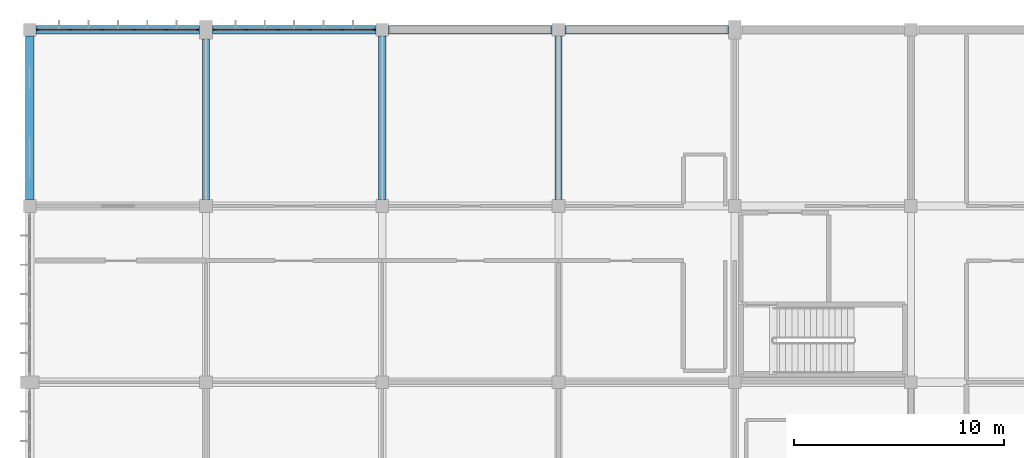
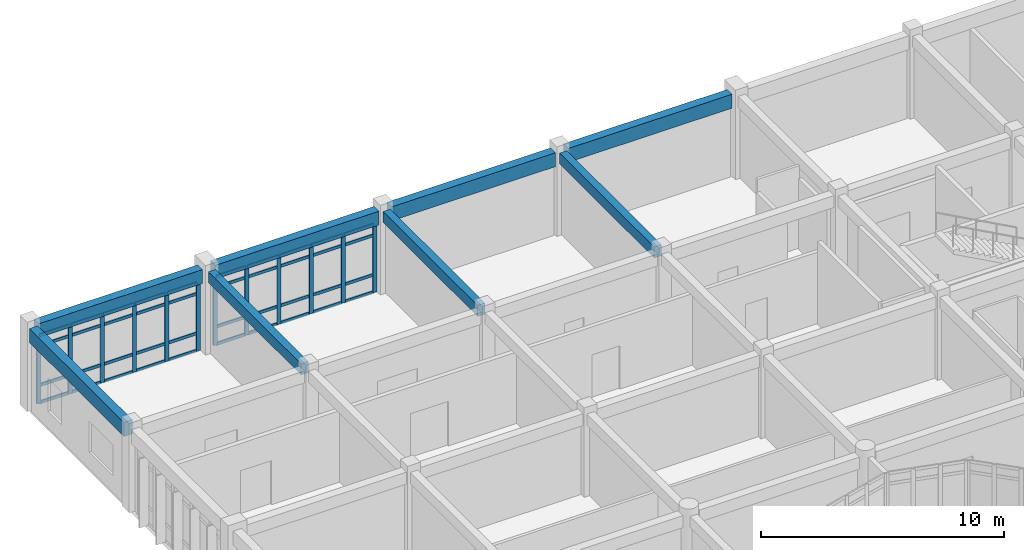
# One storey, part 42 of 144: 52 members, 8 beams, 2 elements without a shape of their own.
"""IFC4 building model written with IfcOpenShell, lengths in metres."""

from ifc_helpers import new_model, si_unit, direction, frame, origin, origin_2d, place, context, subcontext, project, spatial, rectangle, extrude, material, layer, layer_set, material_profile, profile_set, type_object, element, aggregate, save


model = new_model("IFC4")

# Units and contexts
model_context = context("Model", 3, precision=1e-05, world=origin(), true_north=direction((0.0, 1.0)))
body_context = subcontext(model_context, "Body", "Model", "MODEL_VIEW")
ifc_project = project(units=[si_unit("LENGTHUNIT", "METRE"), si_unit("AREAUNIT", "SQUARE_METRE"), si_unit("VOLUMEUNIT", "CUBIC_METRE"), si_unit("PLANEANGLEUNIT", "RADIAN"), si_unit("MASSUNIT", "GRAM", prefix="KILO")], contexts=[model_context])

# Site, building, storey
site_placement = place(None, origin())
site = spatial("IfcSite", under=ifc_project, at=site_placement, CompositionType="ELEMENT")
building_placement = place(site_placement, origin())
building = spatial("IfcBuilding", under=site, at=building_placement, Name="Bramfleet General Hospital", CompositionType="ELEMENT")
storey_placement = place(building_placement, frame((0.0, 0.0, 4.800048828125)))
storey = spatial("IfcBuildingStorey", under=building, at=storey_placement, Name="L01", CompositionType="ELEMENT", Elevation=4.800048828125)

# Beams
ifc_material_1 = material(Name="Concrete C35/45", Category="concrete")
ifc_material_profile_1 = material_profile(ifc_material_1, rectangle(XDim=0.35009765625, YDim=0.550048828125, at=origin_2d()), Name="RC BM 550x350")
ifc_profile_set_1 = profile_set([ifc_material_profile_1], Name="Concrete C35/45")
beam_type_1 = type_object("IfcBeamType", Name="BM-RC550", PredefinedType="BEAM", material=ifc_profile_set_1)
beam_1_placement = place(storey_placement, frame((8.39990234375, 109.5, 3.875), z_axis=(0.0, 1.0, 0.0), x_axis=(-1.0, 0.0, 0.0)))
element("IfcBeam", 1, at=beam_1_placement, inside=storey, type_object=beam_type_1, Name="L01 Grid Beam Y 01-13", PredefinedType="BEAM", context=body_context, shape_type="SweptSolid", body=[
    extrude(rectangle(XDim=0.35009765625, YDim=0.550048828125, at=origin_2d()), origin(), (0.0, 0.0, 1.0), 7.64990234375),
])
for number, where, z_axis, x_axis, name in (
    (2, (16.800048828125, 109.5, 3.875), (0.0, 1.0, 0.0), (-1.0, 0.0, 0.0), "L01 Grid Beam Y 02-13"),
    (3, (25.199951171875, 109.5, 3.875), (0.0, 1.0, 0.0), (-1.0, 0.0, 0.0), "L01 Grid Beam Y 03-13"),
):
    element("IfcBeam", number, at=place(storey_placement, frame(where, z_axis=z_axis, x_axis=x_axis)), inside=storey, type_object=beam_type_1, Name=name, PredefinedType="BEAM", context=body_context, shape_type="SweptSolid", body=[
        extrude(rectangle(XDim=0.35009765625, YDim=0.550048828125, at=origin_2d()), origin(), (0.0, 0.0, 1.0), 7.800048828125),
    ])
ifc_material_profile_2 = material_profile(ifc_material_1, rectangle(XDim=0.39990234375, YDim=0.699951171875, at=origin_2d()), Name="RC SP 700x400")
ifc_profile_set_2 = profile_set([ifc_material_profile_2], Name="Concrete C35/45")
beam_type_2 = type_object("IfcBeamType", Name="BM-SP700", PredefinedType="SPANDREL", material=ifc_profile_set_2)
for number, where, z_axis, x_axis, name in (
    (4, (0.300048828125, 117.60009765625, 3.800048828125), (1.0, 0.0, 0.0), (0.0, 1.0, 0.0), "L01 Grid Beam X 00-14"),
    (5, (8.699951171875, 117.60009765625, 3.800048828125), (1.0, 0.0, 0.0), (0.0, 1.0, 0.0), "L01 Grid Beam X 01-14"),
):
    element("IfcBeam", number, at=place(storey_placement, frame(where, z_axis=z_axis, x_axis=x_axis)), inside=storey, type_object=beam_type_2, Name=name, PredefinedType="SPANDREL", context=body_context, shape_type="SweptSolid", body=[
        extrude(rectangle(XDim=0.39990234375, YDim=0.699951171875, at=origin_2d()), origin(), (0.0, 0.0, 1.0), 7.800048828125),
    ])
beam_2_placement = place(storey_placement, frame((17.10009765625, 117.60009765625, 3.800048828125), z_axis=(1.0, 0.0, 0.0), x_axis=(0.0, 1.0, 0.0)))
element("IfcBeam", 6, at=beam_2_placement, inside=storey, type_object=beam_type_2, Name="L01 Grid Beam X 02-14", PredefinedType="SPANDREL", context=body_context, shape_type="SweptSolid", body=[
    extrude(rectangle(XDim=0.39990234375, YDim=0.699951171875, at=origin_2d()), origin(), (0.0, 0.0, 1.0), 7.7998046875),
])
for number, where, z_axis, x_axis, name in (
    (7, (25.5, 117.60009765625, 3.800048828125), (1.0, 0.0, 0.0), (0.0, 1.0, 0.0), "L01 Grid Beam X 03-14"),
    (8, (0.0, 109.5, 3.800048828125), (0.0, 1.0, 0.0), (-1.0, 0.0, 0.0), "L01 Grid Beam Y 00-13"),
):
    element("IfcBeam", number, at=place(storey_placement, frame(where, z_axis=z_axis, x_axis=x_axis)), inside=storey, type_object=beam_type_2, Name=name, PredefinedType="SPANDREL", context=body_context, shape_type="SweptSolid", body=[
        extrude(rectangle(XDim=0.39990234375, YDim=0.699951171875, at=origin_2d()), origin(), (0.0, 0.0, 1.0), 7.800048828125),
    ])

# Curtain wall, members
ifc_material_2 = material(Name="Anodised aluminium and low-E triple glazing", Category="aluminium")
ifc_layer_1 = layer(ifc_material_2, 0.179931640625, Name="CWT-CW-09")
ifc_layer_set_1 = layer_set([ifc_layer_1], Name="Anodised aluminium and low-E triple glazing")
curtain_wall_type_1 = type_object("IfcCurtainWallType", Name="CWT-CW-09", PredefinedType="USERDEFINED", material=ifc_layer_set_1)
curtain_wall_1_placement = place(storey_placement, origin())
curtain_wall_1 = element("IfcCurtainWall", 9, at=curtain_wall_1_placement, inside=storey, type_object=curtain_wall_type_1, Name="L01 Curtain Wall 45", ObjectType="Unitised curtain wall", PredefinedType="USERDEFINED")
ifc_material_3 = material(Name="Structural timber GL28h", Category="wood")
ifc_material_profile_3 = material_profile(ifc_material_3, rectangle(XDim=0.070068359375, YDim=0.18994140625, at=origin_2d()), Name="LARCH 190x70")
ifc_profile_set_3 = profile_set([ifc_material_profile_3], Name="Structural timber GL28h")
member_type_1 = type_object("IfcMemberType", Name="CWM-LARCH450", PredefinedType="MULLION", material=ifc_profile_set_3)
member_1_placement = place(storey_placement, frame((0.409912109375, 117.60009765625, 0.0), z_axis=(0.0, 0.0, 1.0), x_axis=(0.0, 1.0, 0.0)))
member_1 = element("IfcMember", 10, at=member_1_placement, type_object=member_type_1, Name="CW-09 mullion 1", PredefinedType="MULLION", context=body_context, shape_type="SweptSolid", body=[
    extrude(rectangle(XDim=0.070068359375, YDim=0.18994140625, at=origin_2d()), origin(), (0.0, 0.0, 1.0), 3.43994140625),
])
member_2_placement = place(storey_placement, frame((1.905029296875, 117.60009765625, 0.0), z_axis=(0.0, 0.0, 1.0), x_axis=(0.0, 1.0, 0.0)))
member_2 = element("IfcMember", 11, at=member_2_placement, type_object=member_type_1, Name="CW-09 mullion 2", PredefinedType="MULLION", context=body_context, shape_type="SweptSolid", body=[
    extrude(rectangle(XDim=0.070068359375, YDim=0.18994140625, at=origin_2d()), origin(), (0.0, 0.0, 1.0), 3.43994140625),
])
member_3_placement = place(storey_placement, frame((3.43505859375, 117.60009765625, 0.0), z_axis=(0.0, 0.0, 1.0), x_axis=(0.0, 1.0, 0.0)))
member_3 = element("IfcMember", 12, at=member_3_placement, type_object=member_type_1, Name="CW-09 mullion 3", PredefinedType="MULLION", context=body_context, shape_type="SweptSolid", body=[
    extrude(rectangle(XDim=0.070068359375, YDim=0.18994140625, at=origin_2d()), origin(), (0.0, 0.0, 1.0), 3.43994140625),
])
member_4_placement = place(storey_placement, frame((4.965087890625, 117.60009765625, 0.0), z_axis=(0.0, 0.0, 1.0), x_axis=(0.0, 1.0, 0.0)))
member_4 = element("IfcMember", 13, at=member_4_placement, type_object=member_type_1, Name="CW-09 mullion 4", PredefinedType="MULLION", context=body_context, shape_type="SweptSolid", body=[
    extrude(rectangle(XDim=0.070068359375, YDim=0.18994140625, at=origin_2d()), origin(), (0.0, 0.0, 1.0), 3.43994140625),
])
member_5_placement = place(storey_placement, frame((6.4951171875, 117.60009765625, 0.0), z_axis=(0.0, 0.0, 1.0), x_axis=(0.0, 1.0, 0.0)))
member_5 = element("IfcMember", 14, at=member_5_placement, type_object=member_type_1, Name="CW-09 mullion 5", PredefinedType="MULLION", context=body_context, shape_type="SweptSolid", body=[
    extrude(rectangle(XDim=0.070068359375, YDim=0.18994140625, at=origin_2d()), origin(), (0.0, 0.0, 1.0), 3.43994140625),
])
member_6_placement = place(storey_placement, frame((7.989990234375, 117.60009765625, 0.0), z_axis=(0.0, 0.0, 1.0), x_axis=(0.0, 1.0, 0.0)))
member_6 = element("IfcMember", 15, at=member_6_placement, type_object=member_type_1, Name="CW-09 mullion 6", PredefinedType="MULLION", context=body_context, shape_type="SweptSolid", body=[
    extrude(rectangle(XDim=0.070068359375, YDim=0.18994140625, at=origin_2d()), origin(), (0.0, 0.0, 1.0), 3.43994140625),
])

ifc_layer_2 = layer(ifc_material_2, 0.179931640625, Name="CWT-CW-10")
ifc_layer_set_2 = layer_set([ifc_layer_2], Name="Anodised aluminium and low-E triple glazing")
curtain_wall_type_2 = type_object("IfcCurtainWallType", Name="CWT-CW-10", PredefinedType="USERDEFINED", material=ifc_layer_set_2)
curtain_wall_2_placement = place(storey_placement, origin())
curtain_wall_2 = element("IfcCurtainWall", 16, at=curtain_wall_2_placement, inside=storey, type_object=curtain_wall_type_2, Name="L01 Curtain Wall 46", ObjectType="Stick curtain wall", PredefinedType="USERDEFINED")
member_7_placement = place(storey_placement, frame((8.81005859375, 117.60009765625, 0.0), z_axis=(0.0, 0.0, 1.0), x_axis=(0.0, 1.0, 0.0)))
member_7 = element("IfcMember", 17, at=member_7_placement, type_object=member_type_1, Name="CW-10 mullion 1", PredefinedType="MULLION", context=body_context, shape_type="SweptSolid", body=[
    extrude(rectangle(XDim=0.070068359375, YDim=0.18994140625, at=origin_2d()), origin(), (0.0, 0.0, 1.0), 3.43994140625),
])
member_8_placement = place(storey_placement, frame((10.304931640625, 117.60009765625, 0.0), z_axis=(0.0, 0.0, 1.0), x_axis=(0.0, 1.0, 0.0)))
member_8 = element("IfcMember", 18, at=member_8_placement, type_object=member_type_1, Name="CW-10 mullion 2", PredefinedType="MULLION", context=body_context, shape_type="SweptSolid", body=[
    extrude(rectangle(XDim=0.070068359375, YDim=0.18994140625, at=origin_2d()), origin(), (0.0, 0.0, 1.0), 3.43994140625),
])
member_9_placement = place(storey_placement, frame((11.8349609375, 117.60009765625, 0.0), z_axis=(0.0, 0.0, 1.0), x_axis=(0.0, 1.0, 0.0)))
member_9 = element("IfcMember", 19, at=member_9_placement, type_object=member_type_1, Name="CW-10 mullion 3", PredefinedType="MULLION", context=body_context, shape_type="SweptSolid", body=[
    extrude(rectangle(XDim=0.070068359375, YDim=0.18994140625, at=origin_2d()), origin(), (0.0, 0.0, 1.0), 3.43994140625),
])
member_10_placement = place(storey_placement, frame((13.364990234375, 117.60009765625, 0.0), z_axis=(0.0, 0.0, 1.0), x_axis=(0.0, 1.0, 0.0)))
member_10 = element("IfcMember", 20, at=member_10_placement, type_object=member_type_1, Name="CW-10 mullion 4", PredefinedType="MULLION", context=body_context, shape_type="SweptSolid", body=[
    extrude(rectangle(XDim=0.070068359375, YDim=0.18994140625, at=origin_2d()), origin(), (0.0, 0.0, 1.0), 3.43994140625),
])
member_11_placement = place(storey_placement, frame((14.89501953125, 117.60009765625, 0.0), z_axis=(0.0, 0.0, 1.0), x_axis=(0.0, 1.0, 0.0)))
member_11 = element("IfcMember", 21, at=member_11_placement, type_object=member_type_1, Name="CW-10 mullion 5", PredefinedType="MULLION", context=body_context, shape_type="SweptSolid", body=[
    extrude(rectangle(XDim=0.070068359375, YDim=0.18994140625, at=origin_2d()), origin(), (0.0, 0.0, 1.0), 3.43994140625),
])
member_12_placement = place(storey_placement, frame((16.389892578125, 117.60009765625, 0.0), z_axis=(0.0, 0.0, 1.0), x_axis=(0.0, 1.0, 0.0)))
member_12 = element("IfcMember", 22, at=member_12_placement, type_object=member_type_1, Name="CW-10 mullion 6", PredefinedType="MULLION", context=body_context, shape_type="SweptSolid", body=[
    extrude(rectangle(XDim=0.070068359375, YDim=0.18994140625, at=origin_2d()), origin(), (0.0, 0.0, 1.0), 3.43994140625),
])

# Member
ifc_material_profile_4 = material_profile(ifc_material_3, rectangle(XDim=0.06494140625, YDim=0.14990234375, at=origin_2d()), Name="LARCH 150x65")
ifc_profile_set_4 = profile_set([ifc_material_profile_4], Name="Structural timber GL28h")
member_type_2 = type_object("IfcMemberType", Name="CWT-LARCH220", PredefinedType="USERDEFINED", material=ifc_profile_set_4)
member_13_placement = place(storey_placement, frame((0.445068359375, 117.60009765625, 0.032470703125), z_axis=(1.0, 0.0, 0.0), x_axis=(0.0, 1.0, 0.0)))
member_13 = element("IfcMember", 23, at=member_13_placement, type_object=member_type_2, Name="CW-09 transom 1.1", ObjectType="TRANSOM", PredefinedType="USERDEFINED", context=body_context, shape_type="SweptSolid", body=[
    extrude(rectangle(XDim=0.06494140625, YDim=0.14990234375, at=origin_2d()), origin(), (0.0, 0.0, 1.0), 1.425048828125),
])

member_14_placement = place(storey_placement, frame((0.445068359375, 117.60009765625, 0.89990234375), z_axis=(1.0, 0.0, 0.0), x_axis=(0.0, 1.0, 0.0)))
member_14 = element("IfcMember", 24, at=member_14_placement, type_object=member_type_2, Name="CW-09 transom 1.2", ObjectType="TRANSOM", PredefinedType="USERDEFINED", context=body_context, shape_type="SweptSolid", body=[
    extrude(rectangle(XDim=0.06494140625, YDim=0.14990234375, at=origin_2d()), origin(), (0.0, 0.0, 1.0), 1.425048828125),
])

member_15_placement = place(storey_placement, frame((0.445068359375, 117.60009765625, 2.889892578125), z_axis=(1.0, 0.0, 0.0), x_axis=(0.0, 1.0, 0.0)))
member_15 = element("IfcMember", 25, at=member_15_placement, type_object=member_type_2, Name="CW-09 transom 1.3", ObjectType="TRANSOM", PredefinedType="USERDEFINED", context=body_context, shape_type="SweptSolid", body=[
    extrude(rectangle(XDim=0.06494140625, YDim=0.14990234375, at=origin_2d()), origin(), (0.0, 0.0, 1.0), 1.425048828125),
])

member_16_placement = place(storey_placement, frame((0.445068359375, 117.60009765625, 3.407470703125), z_axis=(1.0, 0.0, 0.0), x_axis=(0.0, 1.0, 0.0)))
member_16 = element("IfcMember", 26, at=member_16_placement, type_object=member_type_2, Name="CW-09 transom 1.4", ObjectType="TRANSOM", PredefinedType="USERDEFINED", context=body_context, shape_type="SweptSolid", body=[
    extrude(rectangle(XDim=0.06494140625, YDim=0.14990234375, at=origin_2d()), origin(), (0.0, 0.0, 1.0), 1.425048828125),
])

member_17_placement = place(storey_placement, frame((1.93994140625, 117.60009765625, 0.032470703125), z_axis=(1.0, 0.0, 0.0), x_axis=(0.0, 1.0, 0.0)))
member_17 = element("IfcMember", 27, at=member_17_placement, type_object=member_type_2, Name="CW-09 transom 2.1", ObjectType="TRANSOM", PredefinedType="USERDEFINED", context=body_context, shape_type="SweptSolid", body=[
    extrude(rectangle(XDim=0.06494140625, YDim=0.14990234375, at=origin_2d()), origin(), (0.0, 0.0, 1.0), 1.4599609375),
])

member_18_placement = place(storey_placement, frame((1.93994140625, 117.60009765625, 0.89990234375), z_axis=(1.0, 0.0, 0.0), x_axis=(0.0, 1.0, 0.0)))
member_18 = element("IfcMember", 28, at=member_18_placement, type_object=member_type_2, Name="CW-09 transom 2.2", ObjectType="TRANSOM", PredefinedType="USERDEFINED", context=body_context, shape_type="SweptSolid", body=[
    extrude(rectangle(XDim=0.06494140625, YDim=0.14990234375, at=origin_2d()), origin(), (0.0, 0.0, 1.0), 1.4599609375),
])

member_19_placement = place(storey_placement, frame((1.93994140625, 117.60009765625, 2.889892578125), z_axis=(1.0, 0.0, 0.0), x_axis=(0.0, 1.0, 0.0)))
member_19 = element("IfcMember", 29, at=member_19_placement, type_object=member_type_2, Name="CW-09 transom 2.3", ObjectType="TRANSOM", PredefinedType="USERDEFINED", context=body_context, shape_type="SweptSolid", body=[
    extrude(rectangle(XDim=0.06494140625, YDim=0.14990234375, at=origin_2d()), origin(), (0.0, 0.0, 1.0), 1.4599609375),
])

member_20_placement = place(storey_placement, frame((1.93994140625, 117.60009765625, 3.407470703125), z_axis=(1.0, 0.0, 0.0), x_axis=(0.0, 1.0, 0.0)))
member_20 = element("IfcMember", 30, at=member_20_placement, type_object=member_type_2, Name="CW-09 transom 2.4", ObjectType="TRANSOM", PredefinedType="USERDEFINED", context=body_context, shape_type="SweptSolid", body=[
    extrude(rectangle(XDim=0.06494140625, YDim=0.14990234375, at=origin_2d()), origin(), (0.0, 0.0, 1.0), 1.4599609375),
])

member_21_placement = place(storey_placement, frame((3.469970703125, 117.60009765625, 0.032470703125), z_axis=(1.0, 0.0, 0.0), x_axis=(0.0, 1.0, 0.0)))
member_21 = element("IfcMember", 31, at=member_21_placement, type_object=member_type_2, Name="CW-09 transom 3.1", ObjectType="TRANSOM", PredefinedType="USERDEFINED", context=body_context, shape_type="SweptSolid", body=[
    extrude(rectangle(XDim=0.06494140625, YDim=0.14990234375, at=origin_2d()), origin(), (0.0, 0.0, 1.0), 1.4599609375),
])

member_22_placement = place(storey_placement, frame((3.469970703125, 117.60009765625, 0.89990234375), z_axis=(1.0, 0.0, 0.0), x_axis=(0.0, 1.0, 0.0)))
member_22 = element("IfcMember", 32, at=member_22_placement, type_object=member_type_2, Name="CW-09 transom 3.2", ObjectType="TRANSOM", PredefinedType="USERDEFINED", context=body_context, shape_type="SweptSolid", body=[
    extrude(rectangle(XDim=0.06494140625, YDim=0.14990234375, at=origin_2d()), origin(), (0.0, 0.0, 1.0), 1.4599609375),
])

member_23_placement = place(storey_placement, frame((3.469970703125, 117.60009765625, 2.889892578125), z_axis=(1.0, 0.0, 0.0), x_axis=(0.0, 1.0, 0.0)))
member_23 = element("IfcMember", 33, at=member_23_placement, type_object=member_type_2, Name="CW-09 transom 3.3", ObjectType="TRANSOM", PredefinedType="USERDEFINED", context=body_context, shape_type="SweptSolid", body=[
    extrude(rectangle(XDim=0.06494140625, YDim=0.14990234375, at=origin_2d()), origin(), (0.0, 0.0, 1.0), 1.4599609375),
])

member_24_placement = place(storey_placement, frame((3.469970703125, 117.60009765625, 3.407470703125), z_axis=(1.0, 0.0, 0.0), x_axis=(0.0, 1.0, 0.0)))
member_24 = element("IfcMember", 34, at=member_24_placement, type_object=member_type_2, Name="CW-09 transom 3.4", ObjectType="TRANSOM", PredefinedType="USERDEFINED", context=body_context, shape_type="SweptSolid", body=[
    extrude(rectangle(XDim=0.06494140625, YDim=0.14990234375, at=origin_2d()), origin(), (0.0, 0.0, 1.0), 1.4599609375),
])

member_25_placement = place(storey_placement, frame((5.0, 117.60009765625, 0.032470703125), z_axis=(1.0, 0.0, 0.0), x_axis=(0.0, 1.0, 0.0)))
member_25 = element("IfcMember", 35, at=member_25_placement, type_object=member_type_2, Name="CW-09 transom 4.1", ObjectType="TRANSOM", PredefinedType="USERDEFINED", context=body_context, shape_type="SweptSolid", body=[
    extrude(rectangle(XDim=0.06494140625, YDim=0.14990234375, at=origin_2d()), origin(), (0.0, 0.0, 1.0), 1.4599609375),
])

member_26_placement = place(storey_placement, frame((5.0, 117.60009765625, 0.89990234375), z_axis=(1.0, 0.0, 0.0), x_axis=(0.0, 1.0, 0.0)))
member_26 = element("IfcMember", 36, at=member_26_placement, type_object=member_type_2, Name="CW-09 transom 4.2", ObjectType="TRANSOM", PredefinedType="USERDEFINED", context=body_context, shape_type="SweptSolid", body=[
    extrude(rectangle(XDim=0.06494140625, YDim=0.14990234375, at=origin_2d()), origin(), (0.0, 0.0, 1.0), 1.4599609375),
])

member_27_placement = place(storey_placement, frame((5.0, 117.60009765625, 2.889892578125), z_axis=(1.0, 0.0, 0.0), x_axis=(0.0, 1.0, 0.0)))
member_27 = element("IfcMember", 37, at=member_27_placement, type_object=member_type_2, Name="CW-09 transom 4.3", ObjectType="TRANSOM", PredefinedType="USERDEFINED", context=body_context, shape_type="SweptSolid", body=[
    extrude(rectangle(XDim=0.06494140625, YDim=0.14990234375, at=origin_2d()), origin(), (0.0, 0.0, 1.0), 1.4599609375),
])

member_28_placement = place(storey_placement, frame((5.0, 117.60009765625, 3.407470703125), z_axis=(1.0, 0.0, 0.0), x_axis=(0.0, 1.0, 0.0)))
member_28 = element("IfcMember", 38, at=member_28_placement, type_object=member_type_2, Name="CW-09 transom 4.4", ObjectType="TRANSOM", PredefinedType="USERDEFINED", context=body_context, shape_type="SweptSolid", body=[
    extrude(rectangle(XDim=0.06494140625, YDim=0.14990234375, at=origin_2d()), origin(), (0.0, 0.0, 1.0), 1.4599609375),
])

member_29_placement = place(storey_placement, frame((6.530029296875, 117.60009765625, 0.032470703125), z_axis=(1.0, 0.0, 0.0), x_axis=(0.0, 1.0, 0.0)))
member_29 = element("IfcMember", 39, at=member_29_placement, type_object=member_type_2, Name="CW-09 transom 5.1", ObjectType="TRANSOM", PredefinedType="USERDEFINED", context=body_context, shape_type="SweptSolid", body=[
    extrude(rectangle(XDim=0.06494140625, YDim=0.14990234375, at=origin_2d()), origin(), (0.0, 0.0, 1.0), 1.425048828125),
])

member_30_placement = place(storey_placement, frame((6.530029296875, 117.60009765625, 0.89990234375), z_axis=(1.0, 0.0, 0.0), x_axis=(0.0, 1.0, 0.0)))
member_30 = element("IfcMember", 40, at=member_30_placement, type_object=member_type_2, Name="CW-09 transom 5.2", ObjectType="TRANSOM", PredefinedType="USERDEFINED", context=body_context, shape_type="SweptSolid", body=[
    extrude(rectangle(XDim=0.06494140625, YDim=0.14990234375, at=origin_2d()), origin(), (0.0, 0.0, 1.0), 1.425048828125),
])

member_31_placement = place(storey_placement, frame((6.530029296875, 117.60009765625, 2.889892578125), z_axis=(1.0, 0.0, 0.0), x_axis=(0.0, 1.0, 0.0)))
member_31 = element("IfcMember", 41, at=member_31_placement, type_object=member_type_2, Name="CW-09 transom 5.3", ObjectType="TRANSOM", PredefinedType="USERDEFINED", context=body_context, shape_type="SweptSolid", body=[
    extrude(rectangle(XDim=0.06494140625, YDim=0.14990234375, at=origin_2d()), origin(), (0.0, 0.0, 1.0), 1.425048828125),
])

member_32_placement = place(storey_placement, frame((6.530029296875, 117.60009765625, 3.407470703125), z_axis=(1.0, 0.0, 0.0), x_axis=(0.0, 1.0, 0.0)))
member_32 = element("IfcMember", 42, at=member_32_placement, type_object=member_type_2, Name="CW-09 transom 5.4", ObjectType="TRANSOM", PredefinedType="USERDEFINED", context=body_context, shape_type="SweptSolid", body=[
    extrude(rectangle(XDim=0.06494140625, YDim=0.14990234375, at=origin_2d()), origin(), (0.0, 0.0, 1.0), 1.425048828125),
])

aggregate(curtain_wall_1, [member_1, member_2, member_3, member_4, member_5, member_6, member_13, member_14, member_15, member_16, member_17, member_18, member_19, member_20, member_21, member_22, member_23, member_24, member_25, member_26, member_27, member_28, member_29, member_30, member_31, member_32])

member_33_placement = place(storey_placement, frame((8.844970703125, 117.60009765625, 0.032470703125), z_axis=(1.0, 0.0, 0.0), x_axis=(0.0, 1.0, 0.0)))
member_33 = element("IfcMember", 43, at=member_33_placement, type_object=member_type_2, Name="CW-10 transom 1.1", ObjectType="TRANSOM", PredefinedType="USERDEFINED", context=body_context, shape_type="SweptSolid", body=[
    extrude(rectangle(XDim=0.06494140625, YDim=0.14990234375, at=origin_2d()), origin(), (0.0, 0.0, 1.0), 1.425048828125),
])

member_34_placement = place(storey_placement, frame((8.844970703125, 117.60009765625, 0.89990234375), z_axis=(1.0, 0.0, 0.0), x_axis=(0.0, 1.0, 0.0)))
member_34 = element("IfcMember", 44, at=member_34_placement, type_object=member_type_2, Name="CW-10 transom 1.2", ObjectType="TRANSOM", PredefinedType="USERDEFINED", context=body_context, shape_type="SweptSolid", body=[
    extrude(rectangle(XDim=0.06494140625, YDim=0.14990234375, at=origin_2d()), origin(), (0.0, 0.0, 1.0), 1.425048828125),
])

member_35_placement = place(storey_placement, frame((8.844970703125, 117.60009765625, 2.889892578125), z_axis=(1.0, 0.0, 0.0), x_axis=(0.0, 1.0, 0.0)))
member_35 = element("IfcMember", 45, at=member_35_placement, type_object=member_type_2, Name="CW-10 transom 1.3", ObjectType="TRANSOM", PredefinedType="USERDEFINED", context=body_context, shape_type="SweptSolid", body=[
    extrude(rectangle(XDim=0.06494140625, YDim=0.14990234375, at=origin_2d()), origin(), (0.0, 0.0, 1.0), 1.425048828125),
])

member_36_placement = place(storey_placement, frame((8.844970703125, 117.60009765625, 3.407470703125), z_axis=(1.0, 0.0, 0.0), x_axis=(0.0, 1.0, 0.0)))
member_36 = element("IfcMember", 46, at=member_36_placement, type_object=member_type_2, Name="CW-10 transom 1.4", ObjectType="TRANSOM", PredefinedType="USERDEFINED", context=body_context, shape_type="SweptSolid", body=[
    extrude(rectangle(XDim=0.06494140625, YDim=0.14990234375, at=origin_2d()), origin(), (0.0, 0.0, 1.0), 1.425048828125),
])

member_37_placement = place(storey_placement, frame((10.340087890625, 117.60009765625, 0.032470703125), z_axis=(1.0, 0.0, 0.0), x_axis=(0.0, 1.0, 0.0)))
member_37 = element("IfcMember", 47, at=member_37_placement, type_object=member_type_2, Name="CW-10 transom 2.1", ObjectType="TRANSOM", PredefinedType="USERDEFINED", context=body_context, shape_type="SweptSolid", body=[
    extrude(rectangle(XDim=0.06494140625, YDim=0.14990234375, at=origin_2d()), origin(), (0.0, 0.0, 1.0), 1.4599609375),
])

member_38_placement = place(storey_placement, frame((10.340087890625, 117.60009765625, 0.89990234375), z_axis=(1.0, 0.0, 0.0), x_axis=(0.0, 1.0, 0.0)))
member_38 = element("IfcMember", 48, at=member_38_placement, type_object=member_type_2, Name="CW-10 transom 2.2", ObjectType="TRANSOM", PredefinedType="USERDEFINED", context=body_context, shape_type="SweptSolid", body=[
    extrude(rectangle(XDim=0.06494140625, YDim=0.14990234375, at=origin_2d()), origin(), (0.0, 0.0, 1.0), 1.4599609375),
])

member_39_placement = place(storey_placement, frame((10.340087890625, 117.60009765625, 2.889892578125), z_axis=(1.0, 0.0, 0.0), x_axis=(0.0, 1.0, 0.0)))
member_39 = element("IfcMember", 49, at=member_39_placement, type_object=member_type_2, Name="CW-10 transom 2.3", ObjectType="TRANSOM", PredefinedType="USERDEFINED", context=body_context, shape_type="SweptSolid", body=[
    extrude(rectangle(XDim=0.06494140625, YDim=0.14990234375, at=origin_2d()), origin(), (0.0, 0.0, 1.0), 1.4599609375),
])

member_40_placement = place(storey_placement, frame((10.340087890625, 117.60009765625, 3.407470703125), z_axis=(1.0, 0.0, 0.0), x_axis=(0.0, 1.0, 0.0)))
member_40 = element("IfcMember", 50, at=member_40_placement, type_object=member_type_2, Name="CW-10 transom 2.4", ObjectType="TRANSOM", PredefinedType="USERDEFINED", context=body_context, shape_type="SweptSolid", body=[
    extrude(rectangle(XDim=0.06494140625, YDim=0.14990234375, at=origin_2d()), origin(), (0.0, 0.0, 1.0), 1.4599609375),
])

member_41_placement = place(storey_placement, frame((11.8701171875, 117.60009765625, 0.032470703125), z_axis=(1.0, 0.0, 0.0), x_axis=(0.0, 1.0, 0.0)))
member_41 = element("IfcMember", 51, at=member_41_placement, type_object=member_type_2, Name="CW-10 transom 3.1", ObjectType="TRANSOM", PredefinedType="USERDEFINED", context=body_context, shape_type="SweptSolid", body=[
    extrude(rectangle(XDim=0.06494140625, YDim=0.14990234375, at=origin_2d()), origin(), (0.0, 0.0, 1.0), 1.4599609375),
])

member_42_placement = place(storey_placement, frame((11.8701171875, 117.60009765625, 0.89990234375), z_axis=(1.0, 0.0, 0.0), x_axis=(0.0, 1.0, 0.0)))
member_42 = element("IfcMember", 52, at=member_42_placement, type_object=member_type_2, Name="CW-10 transom 3.2", ObjectType="TRANSOM", PredefinedType="USERDEFINED", context=body_context, shape_type="SweptSolid", body=[
    extrude(rectangle(XDim=0.06494140625, YDim=0.14990234375, at=origin_2d()), origin(), (0.0, 0.0, 1.0), 1.4599609375),
])

member_43_placement = place(storey_placement, frame((11.8701171875, 117.60009765625, 2.889892578125), z_axis=(1.0, 0.0, 0.0), x_axis=(0.0, 1.0, 0.0)))
member_43 = element("IfcMember", 53, at=member_43_placement, type_object=member_type_2, Name="CW-10 transom 3.3", ObjectType="TRANSOM", PredefinedType="USERDEFINED", context=body_context, shape_type="SweptSolid", body=[
    extrude(rectangle(XDim=0.06494140625, YDim=0.14990234375, at=origin_2d()), origin(), (0.0, 0.0, 1.0), 1.4599609375),
])

member_44_placement = place(storey_placement, frame((11.8701171875, 117.60009765625, 3.407470703125), z_axis=(1.0, 0.0, 0.0), x_axis=(0.0, 1.0, 0.0)))
member_44 = element("IfcMember", 54, at=member_44_placement, type_object=member_type_2, Name="CW-10 transom 3.4", ObjectType="TRANSOM", PredefinedType="USERDEFINED", context=body_context, shape_type="SweptSolid", body=[
    extrude(rectangle(XDim=0.06494140625, YDim=0.14990234375, at=origin_2d()), origin(), (0.0, 0.0, 1.0), 1.4599609375),
])

member_45_placement = place(storey_placement, frame((13.39990234375, 117.60009765625, 0.032470703125), z_axis=(1.0, 0.0, 0.0), x_axis=(0.0, 1.0, 0.0)))
member_45 = element("IfcMember", 55, at=member_45_placement, type_object=member_type_2, Name="CW-10 transom 4.1", ObjectType="TRANSOM", PredefinedType="USERDEFINED", context=body_context, shape_type="SweptSolid", body=[
    extrude(rectangle(XDim=0.06494140625, YDim=0.14990234375, at=origin_2d()), origin(), (0.0, 0.0, 1.0), 1.460205078125),
])

member_46_placement = place(storey_placement, frame((13.39990234375, 117.60009765625, 0.89990234375), z_axis=(1.0, 0.0, 0.0), x_axis=(0.0, 1.0, 0.0)))
member_46 = element("IfcMember", 56, at=member_46_placement, type_object=member_type_2, Name="CW-10 transom 4.2", ObjectType="TRANSOM", PredefinedType="USERDEFINED", context=body_context, shape_type="SweptSolid", body=[
    extrude(rectangle(XDim=0.06494140625, YDim=0.14990234375, at=origin_2d()), origin(), (0.0, 0.0, 1.0), 1.460205078125),
])

member_47_placement = place(storey_placement, frame((13.39990234375, 117.60009765625, 2.889892578125), z_axis=(1.0, 0.0, 0.0), x_axis=(0.0, 1.0, 0.0)))
member_47 = element("IfcMember", 57, at=member_47_placement, type_object=member_type_2, Name="CW-10 transom 4.3", ObjectType="TRANSOM", PredefinedType="USERDEFINED", context=body_context, shape_type="SweptSolid", body=[
    extrude(rectangle(XDim=0.06494140625, YDim=0.14990234375, at=origin_2d()), origin(), (0.0, 0.0, 1.0), 1.460205078125),
])

member_48_placement = place(storey_placement, frame((13.39990234375, 117.60009765625, 3.407470703125), z_axis=(1.0, 0.0, 0.0), x_axis=(0.0, 1.0, 0.0)))
member_48 = element("IfcMember", 58, at=member_48_placement, type_object=member_type_2, Name="CW-10 transom 4.4", ObjectType="TRANSOM", PredefinedType="USERDEFINED", context=body_context, shape_type="SweptSolid", body=[
    extrude(rectangle(XDim=0.06494140625, YDim=0.14990234375, at=origin_2d()), origin(), (0.0, 0.0, 1.0), 1.460205078125),
])

member_49_placement = place(storey_placement, frame((14.929931640625, 117.60009765625, 0.032470703125), z_axis=(1.0, 0.0, 0.0), x_axis=(0.0, 1.0, 0.0)))
member_49 = element("IfcMember", 59, at=member_49_placement, type_object=member_type_2, Name="CW-10 transom 5.1", ObjectType="TRANSOM", PredefinedType="USERDEFINED", context=body_context, shape_type="SweptSolid", body=[
    extrude(rectangle(XDim=0.06494140625, YDim=0.14990234375, at=origin_2d()), origin(), (0.0, 0.0, 1.0), 1.425048828125),
])

member_50_placement = place(storey_placement, frame((14.929931640625, 117.60009765625, 0.89990234375), z_axis=(1.0, 0.0, 0.0), x_axis=(0.0, 1.0, 0.0)))
member_50 = element("IfcMember", 60, at=member_50_placement, type_object=member_type_2, Name="CW-10 transom 5.2", ObjectType="TRANSOM", PredefinedType="USERDEFINED", context=body_context, shape_type="SweptSolid", body=[
    extrude(rectangle(XDim=0.06494140625, YDim=0.14990234375, at=origin_2d()), origin(), (0.0, 0.0, 1.0), 1.425048828125),
])

member_51_placement = place(storey_placement, frame((14.929931640625, 117.60009765625, 2.889892578125), z_axis=(1.0, 0.0, 0.0), x_axis=(0.0, 1.0, 0.0)))
member_51 = element("IfcMember", 61, at=member_51_placement, type_object=member_type_2, Name="CW-10 transom 5.3", ObjectType="TRANSOM", PredefinedType="USERDEFINED", context=body_context, shape_type="SweptSolid", body=[
    extrude(rectangle(XDim=0.06494140625, YDim=0.14990234375, at=origin_2d()), origin(), (0.0, 0.0, 1.0), 1.425048828125),
])

member_52_placement = place(storey_placement, frame((14.929931640625, 117.60009765625, 3.407470703125), z_axis=(1.0, 0.0, 0.0), x_axis=(0.0, 1.0, 0.0)))
member_52 = element("IfcMember", 62, at=member_52_placement, type_object=member_type_2, Name="CW-10 transom 5.4", ObjectType="TRANSOM", PredefinedType="USERDEFINED", context=body_context, shape_type="SweptSolid", body=[
    extrude(rectangle(XDim=0.06494140625, YDim=0.14990234375, at=origin_2d()), origin(), (0.0, 0.0, 1.0), 1.425048828125),
])

aggregate(curtain_wall_2, [member_7, member_8, member_9, member_10, member_11, member_12, member_33, member_34, member_35, member_36, member_37, member_38, member_39, member_40, member_41, member_42, member_43, member_44, member_45, member_46, member_47, member_48, member_49, member_50, member_51, member_52])

save(model, "model.ifc")
